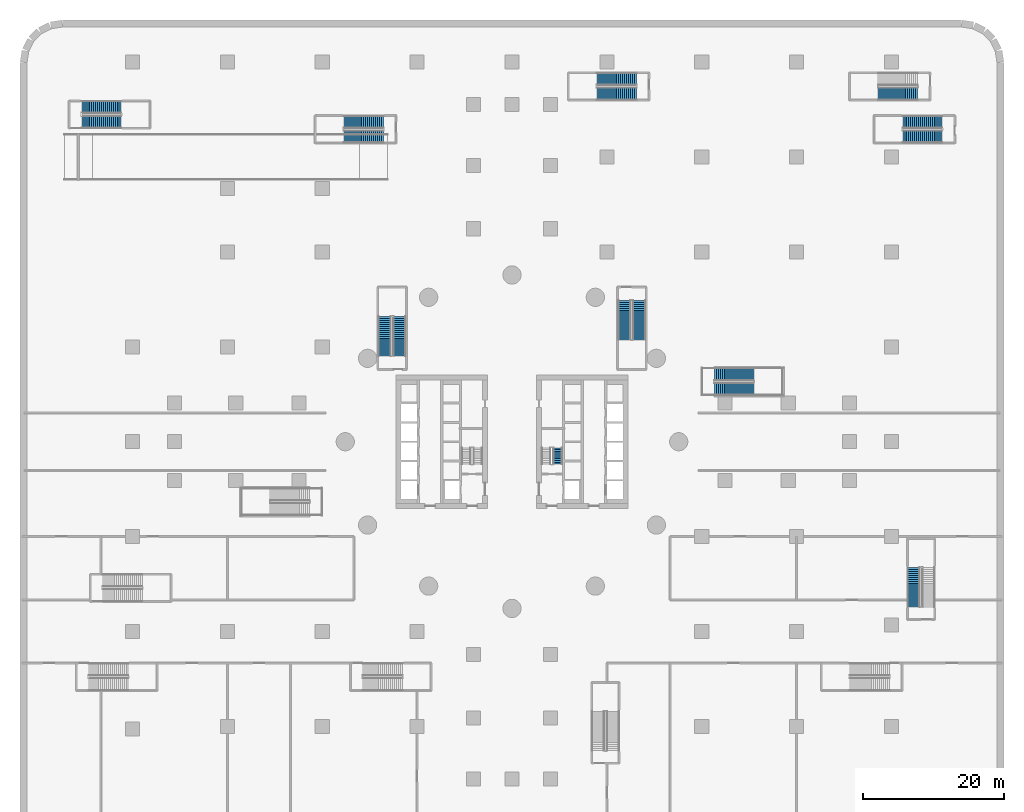
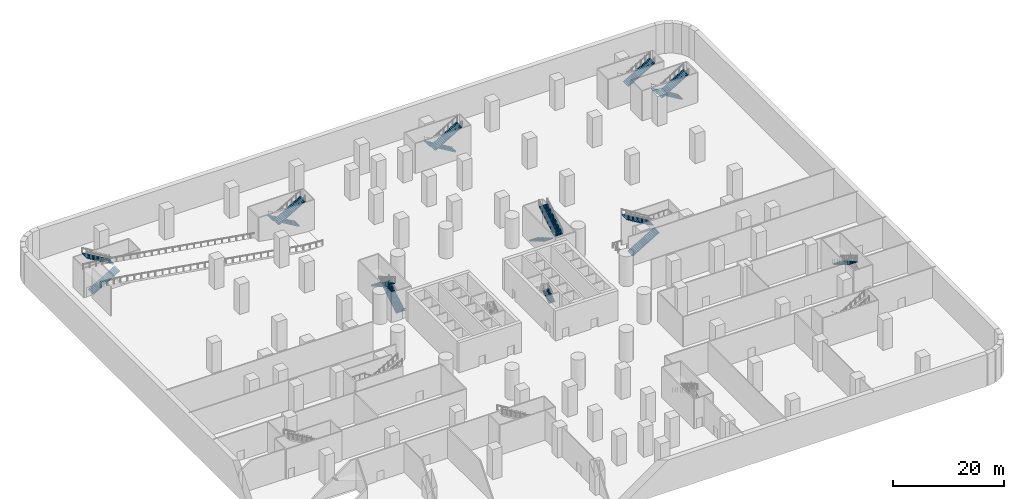
# One storey, part 14 of 30: 17 stair flights, 10 elements without a shape of their own.
"""IFC4 building model written with IfcOpenShell, lengths in metres."""

from ifc_helpers import new_model, si_unit, direction, frame, origin, place, context, subcontext, project, spatial, polyline, outline, extrude, material, type_object, element, aggregate, save


model = new_model("IFC4")

# Units and contexts
model_context = context("Model", 3, precision=1e-05, world=origin(), true_north=direction((0.0, 1.0)))
body_context = subcontext(model_context, "Body", "Model", "MODEL_VIEW")
ifc_project = project(units=[si_unit("LENGTHUNIT", "METRE"), si_unit("AREAUNIT", "SQUARE_METRE"), si_unit("VOLUMEUNIT", "CUBIC_METRE"), si_unit("PLANEANGLEUNIT", "RADIAN"), si_unit("MASSUNIT", "GRAM", prefix="KILO")], contexts=[model_context])

# Site, building, storey
site_placement = place(None, origin())
site = spatial("IfcSite", under=ifc_project, at=site_placement, CompositionType="ELEMENT")
building_placement = place(site_placement, origin())
building = spatial("IfcBuilding", under=site, at=building_placement, Name="Tamarind Cross Interchange Tower", CompositionType="ELEMENT")
storey_placement = place(building_placement, frame((0.0, 0.0, -14.0)))
storey = spatial("IfcBuildingStorey", under=building, at=storey_placement, Name="B2", CompositionType="ELEMENT", Elevation=-14.0)

# Stair, stair flight
ifc_material_1 = material(Name="Exit stair")
stair_type_1 = type_object("IfcStairType", Name="Exit stair", PredefinedType="HALF_TURN_STAIR", material=ifc_material_1)
stair_1_placement = place(storey_placement, origin())
stair_1 = element("IfcStair", 1, at=stair_1_placement, inside=storey, type_object=stair_type_1, Name="B2 exit stair ST2", PredefinedType="HALF_TURN_STAIR")
ifc_material_2 = material(Name="Exit stair flight")
stair_flight_type_1 = type_object("IfcStairFlightType", Name="Exit stair flight", PredefinedType="STRAIGHT", material=ifc_material_2)
stair_flight_1_placement = place(storey_placement, frame((6.5, -3.199951171875, 3.5), z_axis=(0.0, 0.0, 1.0), x_axis=(0.0, 1.0, 0.0)))
stair_flight_1 = element("IfcStairFlight", 2, at=stair_flight_1_placement, type_object=stair_flight_type_1, Name="ST2 flight 3", NumberOfRisers=10, NumberOfTreads=9, PredefinedType="STRAIGHT", RiserHeight=0.175, TreadLength=0.26, context=body_context, shape_type="SweptSolid", body=[
    extrude(outline(polyline([(0.0, 0.0), (0.0, 0.175048828125), (0.260009765625, 0.175048828125), (0.260009765625, 0.35009765625), (0.52001953125, 0.35009765625), (0.52001953125, 0.52490234375), (0.780029296875, 0.52490234375), (0.780029296875, 0.699951171875), (1.0400390625, 0.699951171875), (1.0400390625, 0.875), (1.300048828125, 0.875), (1.300048828125, 1.050048828125), (1.56005859375, 1.050048828125), (1.56005859375, 1.22509765625), (1.820068359375, 1.22509765625), (1.820068359375, 1.39990234375), (2.080078125, 1.39990234375), (2.080078125, 1.574951171875), (2.340087890625, 1.574951171875), (2.340087890625, 1.75), (2.340087890625, 1.394287109375), (0.2685546875, 0.0), (0.0, 0.0)])), frame((0.0, 0.64990234375, 0.0), z_axis=(0.0, -1.0, 0.0), x_axis=(1.0, 0.0, 0.0)), (0.0, 0.0, 1.0), 1.300048828125),
])
aggregate(stair_1, [stair_flight_1])

# Stair, stair flights
ifc_material_3 = material(Name="Public stair")
stair_type_2 = type_object("IfcStairType", Name="Public stair", PredefinedType="HALF_TURN_STAIR", material=ifc_material_3)
stair_2_placement = place(storey_placement, origin())
stair_2 = element("IfcStair", 3, at=stair_2_placement, inside=storey, type_object=stair_type_2, Name="B2 public stair MS-E", PredefinedType="HALF_TURN_STAIR")
ifc_material_4 = material(Name="Public stair flight")
stair_flight_type_2 = type_object("IfcStairFlightType", Name="Public stair flight", PredefinedType="STRAIGHT", material=ifc_material_4)
stair_flight_2_placement = place(storey_placement, frame((28.800048828125, 7.5, 0.0), z_axis=(0.0, 0.0, 1.0), x_axis=(1.0, 0.0, 0.0)))
stair_flight_2 = element("IfcStairFlight", 4, at=stair_flight_2_placement, type_object=stair_flight_type_2, Name="MS-E flight 1", NumberOfRisers=21, NumberOfTreads=20, PredefinedType="STRAIGHT", RiserHeight=0.166666667, TreadLength=0.28, context=body_context, shape_type="SweptSolid", body=[
    extrude(outline(polyline([(0.0, 0.0), (0.0, 0.166748046875), (0.280029296875, 0.166748046875), (0.280029296875, 0.333251953125), (0.56005859375, 0.333251953125), (0.56005859375, 0.5), (0.840087890625, 0.5), (0.840087890625, 0.666748046875), (1.1201171875, 0.666748046875), (1.1201171875, 0.833251953125), (1.39990234375, 0.833251953125), (1.39990234375, 1.0), (1.679931640625, 1.0), (1.679931640625, 1.166748046875), (1.9599609375, 1.166748046875), (1.9599609375, 1.333251953125), (2.239990234375, 1.333251953125), (2.239990234375, 1.5), (2.52001953125, 1.5), (2.52001953125, 1.666748046875), (2.800048828125, 1.666748046875), (2.800048828125, 1.833251953125), (3.080078125, 1.833251953125), (3.080078125, 2.0), (3.360107421875, 2.0), (3.360107421875, 2.166748046875), (3.639892578125, 2.166748046875), (3.639892578125, 2.333251953125), (3.919921875, 2.333251953125), (3.919921875, 2.5), (4.199951171875, 2.5), (4.199951171875, 2.666748046875), (4.47998046875, 2.666748046875), (4.47998046875, 2.833251953125), (4.760009765625, 2.833251953125), (4.760009765625, 3.0), (5.0400390625, 3.0), (5.0400390625, 3.166748046875), (5.320068359375, 3.166748046875), (5.320068359375, 3.333251953125), (5.60009765625, 3.333251953125), (5.60009765625, 3.5), (5.60009765625, 3.158935546875), (0.29296875, 0.0), (0.0, 0.0)])), frame((0.0, 0.89990234375, 0.0), z_axis=(0.0, -1.0, 0.0), x_axis=(1.0, 0.0, 0.0)), (0.0, 0.0, 1.0), 1.800048828125),
])
stair_flight_3_placement = place(storey_placement, frame((34.39990234375, 9.60009765625, 3.5), z_axis=(0.0, 0.0, 1.0), x_axis=(-1.0, 0.0, 0.0)))
stair_flight_3 = element("IfcStairFlight", 5, at=stair_flight_3_placement, type_object=stair_flight_type_2, Name="MS-E flight 2", NumberOfRisers=21, NumberOfTreads=20, PredefinedType="STRAIGHT", RiserHeight=0.166666667, TreadLength=0.28, context=body_context, shape_type="SweptSolid", body=[
    extrude(outline(polyline([(0.0, 0.0), (0.0, 0.166748046875), (0.280029296875, 0.166748046875), (0.280029296875, 0.333251953125), (0.56005859375, 0.333251953125), (0.56005859375, 0.5), (0.840087890625, 0.5), (0.840087890625, 0.666748046875), (1.1201171875, 0.666748046875), (1.1201171875, 0.833251953125), (1.39990234375, 0.833251953125), (1.39990234375, 1.0), (1.679931640625, 1.0), (1.679931640625, 1.166748046875), (1.9599609375, 1.166748046875), (1.9599609375, 1.333251953125), (2.239990234375, 1.333251953125), (2.239990234375, 1.5), (2.52001953125, 1.5), (2.52001953125, 1.666748046875), (2.800048828125, 1.666748046875), (2.800048828125, 1.833251953125), (3.080078125, 1.833251953125), (3.080078125, 2.0), (3.360107421875, 2.0), (3.360107421875, 2.166748046875), (3.639892578125, 2.166748046875), (3.639892578125, 2.333251953125), (3.919921875, 2.333251953125), (3.919921875, 2.5), (4.199951171875, 2.5), (4.199951171875, 2.666748046875), (4.47998046875, 2.666748046875), (4.47998046875, 2.833251953125), (4.760009765625, 2.833251953125), (4.760009765625, 3.0), (5.0400390625, 3.0), (5.0400390625, 3.166748046875), (5.320068359375, 3.166748046875), (5.320068359375, 3.333251953125), (5.60009765625, 3.333251953125), (5.60009765625, 3.5), (5.60009765625, 3.158935546875), (0.29296875, 0.0), (0.0, 0.0)])), frame((0.0, 0.89990234375, 0.0), z_axis=(0.0, -1.0, 0.0), x_axis=(1.0, 0.0, 0.0)), (0.0, 0.0, 1.0), 1.800048828125),
])
aggregate(stair_2, [stair_flight_2, stair_flight_3])

stair_3_placement = place(storey_placement, origin())
stair_3 = element("IfcStair", 6, at=stair_3_placement, inside=storey, type_object=stair_type_2, Name="B2 exit stair XS-W", PredefinedType="HALF_TURN_STAIR")
stair_flight_4_placement = place(storey_placement, frame((-16.0, 12.199951171875, 0.0), z_axis=(0.0, 0.0, 1.0), x_axis=(0.0, 1.0, 0.0)))
stair_flight_4 = element("IfcStairFlight", 7, at=stair_flight_4_placement, type_object=stair_flight_type_2, Name="XS-W flight 1", NumberOfRisers=21, NumberOfTreads=20, PredefinedType="STRAIGHT", RiserHeight=0.166666667, TreadLength=0.28, context=body_context, shape_type="SweptSolid", body=[
    extrude(outline(polyline([(0.0, 0.0), (0.0, 0.166748046875), (0.280029296875, 0.166748046875), (0.280029296875, 0.333251953125), (0.56005859375, 0.333251953125), (0.56005859375, 0.5), (0.840087890625, 0.5), (0.840087890625, 0.666748046875), (1.1201171875, 0.666748046875), (1.1201171875, 0.833251953125), (1.39990234375, 0.833251953125), (1.39990234375, 1.0), (1.679931640625, 1.0), (1.679931640625, 1.166748046875), (1.9599609375, 1.166748046875), (1.9599609375, 1.333251953125), (2.239990234375, 1.333251953125), (2.239990234375, 1.5), (2.52001953125, 1.5), (2.52001953125, 1.666748046875), (2.800048828125, 1.666748046875), (2.800048828125, 1.833251953125), (3.080078125, 1.833251953125), (3.080078125, 2.0), (3.360107421875, 2.0), (3.360107421875, 2.166748046875), (3.639892578125, 2.166748046875), (3.639892578125, 2.333251953125), (3.919921875, 2.333251953125), (3.919921875, 2.5), (4.199951171875, 2.5), (4.199951171875, 2.666748046875), (4.47998046875, 2.666748046875), (4.47998046875, 2.833251953125), (4.760009765625, 2.833251953125), (4.760009765625, 3.0), (5.0400390625, 3.0), (5.0400390625, 3.166748046875), (5.320068359375, 3.166748046875), (5.320068359375, 3.333251953125), (5.60009765625, 3.333251953125), (5.60009765625, 3.5), (5.60009765625, 3.158935546875), (0.29296875, 0.0), (0.0, 0.0)])), frame((0.0, 0.89990234375, 0.0), z_axis=(0.0, -1.0, 0.0), x_axis=(1.0, 0.0, 0.0)), (0.0, 0.0, 1.0), 1.800048828125),
])
stair_flight_5_placement = place(storey_placement, frame((-18.10009765625, 17.800048828125, 3.5), z_axis=(0.0, 0.0, 1.0), x_axis=(0.0, -1.0, 0.0)))
stair_flight_5 = element("IfcStairFlight", 8, at=stair_flight_5_placement, type_object=stair_flight_type_2, Name="XS-W flight 2", NumberOfRisers=21, NumberOfTreads=20, PredefinedType="STRAIGHT", RiserHeight=0.166666667, TreadLength=0.28, context=body_context, shape_type="SweptSolid", body=[
    extrude(outline(polyline([(0.0, 0.0), (0.0, 0.166748046875), (0.280029296875, 0.166748046875), (0.280029296875, 0.333251953125), (0.56005859375, 0.333251953125), (0.56005859375, 0.5), (0.840087890625, 0.5), (0.840087890625, 0.666748046875), (1.1201171875, 0.666748046875), (1.1201171875, 0.833251953125), (1.39990234375, 0.833251953125), (1.39990234375, 1.0), (1.679931640625, 1.0), (1.679931640625, 1.166748046875), (1.9599609375, 1.166748046875), (1.9599609375, 1.333251953125), (2.239990234375, 1.333251953125), (2.239990234375, 1.5), (2.52001953125, 1.5), (2.52001953125, 1.666748046875), (2.800048828125, 1.666748046875), (2.800048828125, 1.833251953125), (3.080078125, 1.833251953125), (3.080078125, 2.0), (3.360107421875, 2.0), (3.360107421875, 2.166748046875), (3.639892578125, 2.166748046875), (3.639892578125, 2.333251953125), (3.919921875, 2.333251953125), (3.919921875, 2.5), (4.199951171875, 2.5), (4.199951171875, 2.666748046875), (4.47998046875, 2.666748046875), (4.47998046875, 2.833251953125), (4.760009765625, 2.833251953125), (4.760009765625, 3.0), (5.0400390625, 3.0), (5.0400390625, 3.166748046875), (5.320068359375, 3.166748046875), (5.320068359375, 3.333251953125), (5.60009765625, 3.333251953125), (5.60009765625, 3.5), (5.60009765625, 3.158935546875), (0.29296875, 0.0), (0.0, 0.0)])), frame((0.0, 0.89990234375, 0.0), z_axis=(0.0, -1.0, 0.0), x_axis=(1.0, 0.0, 0.0)), (0.0, 0.0, 1.0), 1.800048828125),
])
aggregate(stair_3, [stair_flight_4, stair_flight_5])

stair_4_placement = place(storey_placement, origin())
stair_4 = element("IfcStair", 9, at=stair_4_placement, inside=storey, type_object=stair_type_2, Name="B2 exit stair XS-E", PredefinedType="HALF_TURN_STAIR")
stair_flight_6_placement = place(storey_placement, frame((16.0, 20.10009765625, 0.0), z_axis=(0.0, 0.0, 1.0), x_axis=(0.0, -1.0, 0.0)))
stair_flight_6 = element("IfcStairFlight", 10, at=stair_flight_6_placement, type_object=stair_flight_type_2, Name="XS-E flight 1", NumberOfRisers=21, NumberOfTreads=20, PredefinedType="STRAIGHT", RiserHeight=0.166666667, TreadLength=0.28, context=body_context, shape_type="SweptSolid", body=[
    extrude(outline(polyline([(0.0, 0.0), (0.0, 0.166748046875), (0.280029296875, 0.166748046875), (0.280029296875, 0.333251953125), (0.56005859375, 0.333251953125), (0.56005859375, 0.5), (0.840087890625, 0.5), (0.840087890625, 0.666748046875), (1.1201171875, 0.666748046875), (1.1201171875, 0.833251953125), (1.39990234375, 0.833251953125), (1.39990234375, 1.0), (1.679931640625, 1.0), (1.679931640625, 1.166748046875), (1.9599609375, 1.166748046875), (1.9599609375, 1.333251953125), (2.239990234375, 1.333251953125), (2.239990234375, 1.5), (2.52001953125, 1.5), (2.52001953125, 1.666748046875), (2.800048828125, 1.666748046875), (2.800048828125, 1.833251953125), (3.080078125, 1.833251953125), (3.080078125, 2.0), (3.360107421875, 2.0), (3.360107421875, 2.166748046875), (3.639892578125, 2.166748046875), (3.639892578125, 2.333251953125), (3.919921875, 2.333251953125), (3.919921875, 2.5), (4.199951171875, 2.5), (4.199951171875, 2.666748046875), (4.47998046875, 2.666748046875), (4.47998046875, 2.833251953125), (4.760009765625, 2.833251953125), (4.760009765625, 3.0), (5.0400390625, 3.0), (5.0400390625, 3.166748046875), (5.320068359375, 3.166748046875), (5.320068359375, 3.333251953125), (5.60009765625, 3.333251953125), (5.60009765625, 3.5), (5.60009765625, 3.158935546875), (0.29296875, 0.0), (0.0, 0.0)])), frame((0.0, 0.89990234375, 0.0), z_axis=(0.0, -1.0, 0.0), x_axis=(1.0, 0.0, 0.0)), (0.0, 0.0, 1.0), 1.800048828125),
])
stair_flight_7_placement = place(storey_placement, frame((18.10009765625, 14.5, 3.5), z_axis=(0.0, 0.0, 1.0), x_axis=(0.0, 1.0, 0.0)))
stair_flight_7 = element("IfcStairFlight", 11, at=stair_flight_7_placement, type_object=stair_flight_type_2, Name="XS-E flight 2", NumberOfRisers=21, NumberOfTreads=20, PredefinedType="STRAIGHT", RiserHeight=0.166666667, TreadLength=0.28, context=body_context, shape_type="SweptSolid", body=[
    extrude(outline(polyline([(0.0, 0.0), (0.0, 0.166748046875), (0.280029296875, 0.166748046875), (0.280029296875, 0.333251953125), (0.56005859375, 0.333251953125), (0.56005859375, 0.5), (0.840087890625, 0.5), (0.840087890625, 0.666748046875), (1.1201171875, 0.666748046875), (1.1201171875, 0.833251953125), (1.39990234375, 0.833251953125), (1.39990234375, 1.0), (1.679931640625, 1.0), (1.679931640625, 1.166748046875), (1.9599609375, 1.166748046875), (1.9599609375, 1.333251953125), (2.239990234375, 1.333251953125), (2.239990234375, 1.5), (2.52001953125, 1.5), (2.52001953125, 1.666748046875), (2.800048828125, 1.666748046875), (2.800048828125, 1.833251953125), (3.080078125, 1.833251953125), (3.080078125, 2.0), (3.360107421875, 2.0), (3.360107421875, 2.166748046875), (3.639892578125, 2.166748046875), (3.639892578125, 2.333251953125), (3.919921875, 2.333251953125), (3.919921875, 2.5), (4.199951171875, 2.5), (4.199951171875, 2.666748046875), (4.47998046875, 2.666748046875), (4.47998046875, 2.833251953125), (4.760009765625, 2.833251953125), (4.760009765625, 3.0), (5.0400390625, 3.0), (5.0400390625, 3.166748046875), (5.320068359375, 3.166748046875), (5.320068359375, 3.333251953125), (5.60009765625, 3.333251953125), (5.60009765625, 3.5), (5.60009765625, 3.158935546875), (0.29296875, 0.0), (0.0, 0.0)])), frame((0.0, 0.89990234375, 0.0), z_axis=(0.0, -1.0, 0.0), x_axis=(1.0, 0.0, 0.0)), (0.0, 0.0, 1.0), 1.800048828125),
])
aggregate(stair_4, [stair_flight_6, stair_flight_7])

# Stair, stair flight
stair_5_placement = place(storey_placement, origin())
stair_5 = element("IfcStair", 12, at=stair_5_placement, inside=storey, type_object=stair_type_2, Name="B2 exit stair XS-P01", PredefinedType="HALF_TURN_STAIR")
stair_flight_8_placement = place(storey_placement, frame((52.10009765625, 49.5, 3.5), z_axis=(0.0, 0.0, 1.0), x_axis=(1.0, 0.0, 0.0)))
stair_flight_8 = element("IfcStairFlight", 13, at=stair_flight_8_placement, type_object=stair_flight_type_2, Name="XS-P01 flight 2", NumberOfRisers=21, NumberOfTreads=20, PredefinedType="STRAIGHT", RiserHeight=0.166666667, TreadLength=0.28, context=body_context, shape_type="SweptSolid", body=[
    extrude(outline(polyline([(0.0, 0.0), (0.0, 0.166748046875), (0.280029296875, 0.166748046875), (0.280029296875, 0.333251953125), (0.56005859375, 0.333251953125), (0.56005859375, 0.5), (0.840087890625, 0.5), (0.840087890625, 0.666748046875), (1.1201171875, 0.666748046875), (1.1201171875, 0.833251953125), (1.39990234375, 0.833251953125), (1.39990234375, 1.0), (1.679931640625, 1.0), (1.679931640625, 1.166748046875), (1.9599609375, 1.166748046875), (1.9599609375, 1.333251953125), (2.239990234375, 1.333251953125), (2.239990234375, 1.5), (2.52001953125, 1.5), (2.52001953125, 1.666748046875), (2.800048828125, 1.666748046875), (2.800048828125, 1.833251953125), (3.080078125, 1.833251953125), (3.080078125, 2.0), (3.360107421875, 2.0), (3.360107421875, 2.166748046875), (3.639892578125, 2.166748046875), (3.639892578125, 2.333251953125), (3.919921875, 2.333251953125), (3.919921875, 2.5), (4.199951171875, 2.5), (4.199951171875, 2.666748046875), (4.47998046875, 2.666748046875), (4.47998046875, 2.833251953125), (4.760009765625, 2.833251953125), (4.760009765625, 3.0), (5.0400390625, 3.0), (5.0400390625, 3.166748046875), (5.320068359375, 3.166748046875), (5.320068359375, 3.333251953125), (5.60009765625, 3.333251953125), (5.60009765625, 3.5), (5.60009765625, 3.158935546875), (0.29296875, 0.0), (0.0, 0.0)])), frame((0.0, 0.89990234375, 0.0), z_axis=(0.0, -1.0, 0.0), x_axis=(1.0, 0.0, 0.0)), (0.0, 0.0, 1.0), 1.800048828125),
])
aggregate(stair_5, [stair_flight_8])

# Stair, stair flights
stair_6_placement = place(storey_placement, origin())
stair_6 = element("IfcStair", 14, at=stair_6_placement, inside=storey, type_object=stair_type_2, Name="B2 exit stair XS-P02", PredefinedType="HALF_TURN_STAIR")
stair_flight_9_placement = place(storey_placement, frame((61.199951171875, 45.5, 0.0), z_axis=(0.0, 0.0, 1.0), x_axis=(-1.0, 0.0, 0.0)))
stair_flight_9 = element("IfcStairFlight", 15, at=stair_flight_9_placement, type_object=stair_flight_type_2, Name="XS-P02 flight 1", NumberOfRisers=21, NumberOfTreads=20, PredefinedType="STRAIGHT", RiserHeight=0.166666667, TreadLength=0.28, context=body_context, shape_type="SweptSolid", body=[
    extrude(outline(polyline([(0.0, 0.0), (0.0, 0.166748046875), (0.280029296875, 0.166748046875), (0.280029296875, 0.333251953125), (0.56005859375, 0.333251953125), (0.56005859375, 0.5), (0.840087890625, 0.5), (0.840087890625, 0.666748046875), (1.1201171875, 0.666748046875), (1.1201171875, 0.833251953125), (1.39990234375, 0.833251953125), (1.39990234375, 1.0), (1.679931640625, 1.0), (1.679931640625, 1.166748046875), (1.9599609375, 1.166748046875), (1.9599609375, 1.333251953125), (2.239990234375, 1.333251953125), (2.239990234375, 1.5), (2.52001953125, 1.5), (2.52001953125, 1.666748046875), (2.800048828125, 1.666748046875), (2.800048828125, 1.833251953125), (3.080078125, 1.833251953125), (3.080078125, 2.0), (3.360107421875, 2.0), (3.360107421875, 2.166748046875), (3.639892578125, 2.166748046875), (3.639892578125, 2.333251953125), (3.919921875, 2.333251953125), (3.919921875, 2.5), (4.199951171875, 2.5), (4.199951171875, 2.666748046875), (4.47998046875, 2.666748046875), (4.47998046875, 2.833251953125), (4.760009765625, 2.833251953125), (4.760009765625, 3.0), (5.0400390625, 3.0), (5.0400390625, 3.166748046875), (5.320068359375, 3.166748046875), (5.320068359375, 3.333251953125), (5.60009765625, 3.333251953125), (5.60009765625, 3.5), (5.60009765625, 3.158935546875), (0.29296875, 0.0), (0.0, 0.0)])), frame((0.0, 0.89990234375, 0.0), z_axis=(0.0, -1.0, 0.0), x_axis=(1.0, 0.0, 0.0)), (0.0, 0.0, 1.0), 1.800048828125),
])
stair_flight_10_placement = place(storey_placement, frame((55.60009765625, 43.39990234375, 3.5), z_axis=(0.0, 0.0, 1.0), x_axis=(1.0, 0.0, 0.0)))
stair_flight_10 = element("IfcStairFlight", 16, at=stair_flight_10_placement, type_object=stair_flight_type_2, Name="XS-P02 flight 2", NumberOfRisers=21, NumberOfTreads=20, PredefinedType="STRAIGHT", RiserHeight=0.166666667, TreadLength=0.28, context=body_context, shape_type="SweptSolid", body=[
    extrude(outline(polyline([(0.0, 0.0), (0.0, 0.166748046875), (0.280029296875, 0.166748046875), (0.280029296875, 0.333251953125), (0.56005859375, 0.333251953125), (0.56005859375, 0.5), (0.840087890625, 0.5), (0.840087890625, 0.666748046875), (1.1201171875, 0.666748046875), (1.1201171875, 0.833251953125), (1.39990234375, 0.833251953125), (1.39990234375, 1.0), (1.679931640625, 1.0), (1.679931640625, 1.166748046875), (1.9599609375, 1.166748046875), (1.9599609375, 1.333251953125), (2.239990234375, 1.333251953125), (2.239990234375, 1.5), (2.52001953125, 1.5), (2.52001953125, 1.666748046875), (2.800048828125, 1.666748046875), (2.800048828125, 1.833251953125), (3.080078125, 1.833251953125), (3.080078125, 2.0), (3.360107421875, 2.0), (3.360107421875, 2.166748046875), (3.639892578125, 2.166748046875), (3.639892578125, 2.333251953125), (3.919921875, 2.333251953125), (3.919921875, 2.5), (4.199951171875, 2.5), (4.199951171875, 2.666748046875), (4.47998046875, 2.666748046875), (4.47998046875, 2.833251953125), (4.760009765625, 2.833251953125), (4.760009765625, 3.0), (5.0400390625, 3.0), (5.0400390625, 3.166748046875), (5.320068359375, 3.166748046875), (5.320068359375, 3.333251953125), (5.60009765625, 3.333251953125), (5.60009765625, 3.5), (5.60009765625, 3.158935546875), (0.29296875, 0.0), (0.0, 0.0)])), frame((0.0, 0.89990234375, 0.0), z_axis=(0.0, -1.0, 0.0), x_axis=(1.0, 0.0, 0.0)), (0.0, 0.0, 1.0), 1.800048828125),
])
aggregate(stair_6, [stair_flight_9, stair_flight_10])

stair_7_placement = place(storey_placement, origin())
stair_7 = element("IfcStair", 17, at=stair_7_placement, inside=storey, type_object=stair_type_2, Name="B2 exit stair XS-P03", PredefinedType="HALF_TURN_STAIR")
stair_flight_11_placement = place(storey_placement, frame((17.699951171875, 51.60009765625, 0.0), z_axis=(0.0, 0.0, 1.0), x_axis=(-1.0, 0.0, 0.0)))
stair_flight_11 = element("IfcStairFlight", 18, at=stair_flight_11_placement, type_object=stair_flight_type_2, Name="XS-P03 flight 1", NumberOfRisers=21, NumberOfTreads=20, PredefinedType="STRAIGHT", RiserHeight=0.166666667, TreadLength=0.28, context=body_context, shape_type="SweptSolid", body=[
    extrude(outline(polyline([(0.0, 0.0), (0.0, 0.166748046875), (0.280029296875, 0.166748046875), (0.280029296875, 0.333251953125), (0.56005859375, 0.333251953125), (0.56005859375, 0.5), (0.840087890625, 0.5), (0.840087890625, 0.666748046875), (1.1201171875, 0.666748046875), (1.1201171875, 0.833251953125), (1.39990234375, 0.833251953125), (1.39990234375, 1.0), (1.679931640625, 1.0), (1.679931640625, 1.166748046875), (1.9599609375, 1.166748046875), (1.9599609375, 1.333251953125), (2.239990234375, 1.333251953125), (2.239990234375, 1.5), (2.52001953125, 1.5), (2.52001953125, 1.666748046875), (2.800048828125, 1.666748046875), (2.800048828125, 1.833251953125), (3.080078125, 1.833251953125), (3.080078125, 2.0), (3.360107421875, 2.0), (3.360107421875, 2.166748046875), (3.639892578125, 2.166748046875), (3.639892578125, 2.333251953125), (3.919921875, 2.333251953125), (3.919921875, 2.5), (4.199951171875, 2.5), (4.199951171875, 2.666748046875), (4.47998046875, 2.666748046875), (4.47998046875, 2.833251953125), (4.760009765625, 2.833251953125), (4.760009765625, 3.0), (5.0400390625, 3.0), (5.0400390625, 3.166748046875), (5.320068359375, 3.166748046875), (5.320068359375, 3.333251953125), (5.60009765625, 3.333251953125), (5.60009765625, 3.5), (5.60009765625, 3.158935546875), (0.29296875, 0.0), (0.0, 0.0)])), frame((0.0, 0.89990234375, 0.0), z_axis=(0.0, -1.0, 0.0), x_axis=(1.0, 0.0, 0.0)), (0.0, 0.0, 1.0), 1.800048828125),
])
stair_flight_12_placement = place(storey_placement, frame((12.10009765625, 49.5, 3.5), z_axis=(0.0, 0.0, 1.0), x_axis=(1.0, 0.0, 0.0)))
stair_flight_12 = element("IfcStairFlight", 19, at=stair_flight_12_placement, type_object=stair_flight_type_2, Name="XS-P03 flight 2", NumberOfRisers=21, NumberOfTreads=20, PredefinedType="STRAIGHT", RiserHeight=0.166666667, TreadLength=0.28, context=body_context, shape_type="SweptSolid", body=[
    extrude(outline(polyline([(0.0, 0.0), (0.0, 0.166748046875), (0.280029296875, 0.166748046875), (0.280029296875, 0.333251953125), (0.56005859375, 0.333251953125), (0.56005859375, 0.5), (0.840087890625, 0.5), (0.840087890625, 0.666748046875), (1.1201171875, 0.666748046875), (1.1201171875, 0.833251953125), (1.39990234375, 0.833251953125), (1.39990234375, 1.0), (1.679931640625, 1.0), (1.679931640625, 1.166748046875), (1.9599609375, 1.166748046875), (1.9599609375, 1.333251953125), (2.239990234375, 1.333251953125), (2.239990234375, 1.5), (2.52001953125, 1.5), (2.52001953125, 1.666748046875), (2.800048828125, 1.666748046875), (2.800048828125, 1.833251953125), (3.080078125, 1.833251953125), (3.080078125, 2.0), (3.360107421875, 2.0), (3.360107421875, 2.166748046875), (3.639892578125, 2.166748046875), (3.639892578125, 2.333251953125), (3.919921875, 2.333251953125), (3.919921875, 2.5), (4.199951171875, 2.5), (4.199951171875, 2.666748046875), (4.47998046875, 2.666748046875), (4.47998046875, 2.833251953125), (4.760009765625, 2.833251953125), (4.760009765625, 3.0), (5.0400390625, 3.0), (5.0400390625, 3.166748046875), (5.320068359375, 3.166748046875), (5.320068359375, 3.333251953125), (5.60009765625, 3.333251953125), (5.60009765625, 3.5), (5.60009765625, 3.158935546875), (0.29296875, 0.0), (0.0, 0.0)])), frame((0.0, 0.89990234375, 0.0), z_axis=(0.0, -1.0, 0.0), x_axis=(1.0, 0.0, 0.0)), (0.0, 0.0, 1.0), 1.800048828125),
])
aggregate(stair_7, [stair_flight_11, stair_flight_12])

stair_8_placement = place(storey_placement, origin())
stair_8 = element("IfcStair", 20, at=stair_8_placement, inside=storey, type_object=stair_type_2, Name="B2 exit stair XS-P05", PredefinedType="HALF_TURN_STAIR")
stair_flight_13_placement = place(storey_placement, frame((-61.199951171875, 45.5, 0.0), z_axis=(0.0, 0.0, 1.0), x_axis=(1.0, 0.0, 0.0)))
stair_flight_13 = element("IfcStairFlight", 21, at=stair_flight_13_placement, type_object=stair_flight_type_2, Name="XS-P05 flight 1", NumberOfRisers=21, NumberOfTreads=20, PredefinedType="STRAIGHT", RiserHeight=0.166666667, TreadLength=0.28, context=body_context, shape_type="SweptSolid", body=[
    extrude(outline(polyline([(0.0, 0.0), (0.0, 0.166748046875), (0.280029296875, 0.166748046875), (0.280029296875, 0.333251953125), (0.56005859375, 0.333251953125), (0.56005859375, 0.5), (0.840087890625, 0.5), (0.840087890625, 0.666748046875), (1.1201171875, 0.666748046875), (1.1201171875, 0.833251953125), (1.39990234375, 0.833251953125), (1.39990234375, 1.0), (1.679931640625, 1.0), (1.679931640625, 1.166748046875), (1.9599609375, 1.166748046875), (1.9599609375, 1.333251953125), (2.239990234375, 1.333251953125), (2.239990234375, 1.5), (2.52001953125, 1.5), (2.52001953125, 1.666748046875), (2.800048828125, 1.666748046875), (2.800048828125, 1.833251953125), (3.080078125, 1.833251953125), (3.080078125, 2.0), (3.360107421875, 2.0), (3.360107421875, 2.166748046875), (3.639892578125, 2.166748046875), (3.639892578125, 2.333251953125), (3.919921875, 2.333251953125), (3.919921875, 2.5), (4.199951171875, 2.5), (4.199951171875, 2.666748046875), (4.47998046875, 2.666748046875), (4.47998046875, 2.833251953125), (4.760009765625, 2.833251953125), (4.760009765625, 3.0), (5.0400390625, 3.0), (5.0400390625, 3.166748046875), (5.320068359375, 3.166748046875), (5.320068359375, 3.333251953125), (5.60009765625, 3.333251953125), (5.60009765625, 3.5), (5.60009765625, 3.158935546875), (0.29296875, 0.0), (0.0, 0.0)])), frame((0.0, 0.89990234375, 0.0), z_axis=(0.0, -1.0, 0.0), x_axis=(1.0, 0.0, 0.0)), (0.0, 0.0, 1.0), 1.800048828125),
])
stair_flight_14_placement = place(storey_placement, frame((-55.60009765625, 47.60009765625, 3.5), z_axis=(0.0, 0.0, 1.0), x_axis=(-1.0, 0.0, 0.0)))
stair_flight_14 = element("IfcStairFlight", 22, at=stair_flight_14_placement, type_object=stair_flight_type_2, Name="XS-P05 flight 2", NumberOfRisers=21, NumberOfTreads=20, PredefinedType="STRAIGHT", RiserHeight=0.166666667, TreadLength=0.28, context=body_context, shape_type="SweptSolid", body=[
    extrude(outline(polyline([(0.0, 0.0), (0.0, 0.166748046875), (0.280029296875, 0.166748046875), (0.280029296875, 0.333251953125), (0.56005859375, 0.333251953125), (0.56005859375, 0.5), (0.840087890625, 0.5), (0.840087890625, 0.666748046875), (1.1201171875, 0.666748046875), (1.1201171875, 0.833251953125), (1.39990234375, 0.833251953125), (1.39990234375, 1.0), (1.679931640625, 1.0), (1.679931640625, 1.166748046875), (1.9599609375, 1.166748046875), (1.9599609375, 1.333251953125), (2.239990234375, 1.333251953125), (2.239990234375, 1.5), (2.52001953125, 1.5), (2.52001953125, 1.666748046875), (2.800048828125, 1.666748046875), (2.800048828125, 1.833251953125), (3.080078125, 1.833251953125), (3.080078125, 2.0), (3.360107421875, 2.0), (3.360107421875, 2.166748046875), (3.639892578125, 2.166748046875), (3.639892578125, 2.333251953125), (3.919921875, 2.333251953125), (3.919921875, 2.5), (4.199951171875, 2.5), (4.199951171875, 2.666748046875), (4.47998046875, 2.666748046875), (4.47998046875, 2.833251953125), (4.760009765625, 2.833251953125), (4.760009765625, 3.0), (5.0400390625, 3.0), (5.0400390625, 3.166748046875), (5.320068359375, 3.166748046875), (5.320068359375, 3.333251953125), (5.60009765625, 3.333251953125), (5.60009765625, 3.5), (5.60009765625, 3.158935546875), (0.29296875, 0.0), (0.0, 0.0)])), frame((0.0, 0.89990234375, 0.0), z_axis=(0.0, -1.0, 0.0), x_axis=(1.0, 0.0, 0.0)), (0.0, 0.0, 1.0), 1.800048828125),
])
aggregate(stair_8, [stair_flight_13, stair_flight_14])

stair_9_placement = place(storey_placement, origin())
stair_9 = element("IfcStair", 23, at=stair_9_placement, inside=storey, type_object=stair_type_2, Name="B2 exit stair XS-P06", PredefinedType="HALF_TURN_STAIR")
stair_flight_15_placement = place(storey_placement, frame((-18.300048828125, 45.5, 0.0), z_axis=(0.0, 0.0, 1.0), x_axis=(-1.0, 0.0, 0.0)))
stair_flight_15 = element("IfcStairFlight", 24, at=stair_flight_15_placement, type_object=stair_flight_type_2, Name="XS-P06 flight 1", NumberOfRisers=21, NumberOfTreads=20, PredefinedType="STRAIGHT", RiserHeight=0.166666667, TreadLength=0.28, context=body_context, shape_type="SweptSolid", body=[
    extrude(outline(polyline([(0.0, 0.0), (0.0, 0.166748046875), (0.280029296875, 0.166748046875), (0.280029296875, 0.333251953125), (0.56005859375, 0.333251953125), (0.56005859375, 0.5), (0.840087890625, 0.5), (0.840087890625, 0.666748046875), (1.1201171875, 0.666748046875), (1.1201171875, 0.833251953125), (1.39990234375, 0.833251953125), (1.39990234375, 1.0), (1.679931640625, 1.0), (1.679931640625, 1.166748046875), (1.9599609375, 1.166748046875), (1.9599609375, 1.333251953125), (2.239990234375, 1.333251953125), (2.239990234375, 1.5), (2.52001953125, 1.5), (2.52001953125, 1.666748046875), (2.800048828125, 1.666748046875), (2.800048828125, 1.833251953125), (3.080078125, 1.833251953125), (3.080078125, 2.0), (3.360107421875, 2.0), (3.360107421875, 2.166748046875), (3.639892578125, 2.166748046875), (3.639892578125, 2.333251953125), (3.919921875, 2.333251953125), (3.919921875, 2.5), (4.199951171875, 2.5), (4.199951171875, 2.666748046875), (4.47998046875, 2.666748046875), (4.47998046875, 2.833251953125), (4.760009765625, 2.833251953125), (4.760009765625, 3.0), (5.0400390625, 3.0), (5.0400390625, 3.166748046875), (5.320068359375, 3.166748046875), (5.320068359375, 3.333251953125), (5.60009765625, 3.333251953125), (5.60009765625, 3.5), (5.60009765625, 3.158935546875), (0.29296875, 0.0), (0.0, 0.0)])), frame((0.0, 0.89990234375, 0.0), z_axis=(0.0, -1.0, 0.0), x_axis=(1.0, 0.0, 0.0)), (0.0, 0.0, 1.0), 1.800048828125),
])
stair_flight_16_placement = place(storey_placement, frame((-23.89990234375, 43.39990234375, 3.5), z_axis=(0.0, 0.0, 1.0), x_axis=(1.0, 0.0, 0.0)))
stair_flight_16 = element("IfcStairFlight", 25, at=stair_flight_16_placement, type_object=stair_flight_type_2, Name="XS-P06 flight 2", NumberOfRisers=21, NumberOfTreads=20, PredefinedType="STRAIGHT", RiserHeight=0.166666667, TreadLength=0.28, context=body_context, shape_type="SweptSolid", body=[
    extrude(outline(polyline([(0.0, 0.0), (0.0, 0.166748046875), (0.280029296875, 0.166748046875), (0.280029296875, 0.333251953125), (0.56005859375, 0.333251953125), (0.56005859375, 0.5), (0.840087890625, 0.5), (0.840087890625, 0.666748046875), (1.1201171875, 0.666748046875), (1.1201171875, 0.833251953125), (1.39990234375, 0.833251953125), (1.39990234375, 1.0), (1.679931640625, 1.0), (1.679931640625, 1.166748046875), (1.9599609375, 1.166748046875), (1.9599609375, 1.333251953125), (2.239990234375, 1.333251953125), (2.239990234375, 1.5), (2.52001953125, 1.5), (2.52001953125, 1.666748046875), (2.800048828125, 1.666748046875), (2.800048828125, 1.833251953125), (3.080078125, 1.833251953125), (3.080078125, 2.0), (3.360107421875, 2.0), (3.360107421875, 2.166748046875), (3.639892578125, 2.166748046875), (3.639892578125, 2.333251953125), (3.919921875, 2.333251953125), (3.919921875, 2.5), (4.199951171875, 2.5), (4.199951171875, 2.666748046875), (4.47998046875, 2.666748046875), (4.47998046875, 2.833251953125), (4.760009765625, 2.833251953125), (4.760009765625, 3.0), (5.0400390625, 3.0), (5.0400390625, 3.166748046875), (5.320068359375, 3.166748046875), (5.320068359375, 3.333251953125), (5.60009765625, 3.333251953125), (5.60009765625, 3.5), (5.60009765625, 3.158935546875), (0.29296875, 0.0), (0.0, 0.0)])), frame((0.0, 0.89990234375, 0.0), z_axis=(0.0, -1.0, 0.0), x_axis=(1.0, 0.0, 0.0)), (0.0, 0.0, 1.0), 1.800048828125),
])
aggregate(stair_9, [stair_flight_15, stair_flight_16])

# Stair, stair flight
stair_10_placement = place(storey_placement, origin())
stair_10 = element("IfcStair", 26, at=stair_10_placement, inside=storey, type_object=stair_type_2, Name="B2 exit stair XS-P11", PredefinedType="HALF_TURN_STAIR")
stair_flight_17_placement = place(storey_placement, frame((57.14990234375, -17.89990234375, 3.5), z_axis=(0.0, 0.0, 1.0), x_axis=(0.0, -1.0, 0.0)))
stair_flight_17 = element("IfcStairFlight", 27, at=stair_flight_17_placement, type_object=stair_flight_type_2, Name="XS-P11 flight 2", NumberOfRisers=21, NumberOfTreads=20, PredefinedType="STRAIGHT", RiserHeight=0.166666667, TreadLength=0.28, context=body_context, shape_type="SweptSolid", body=[
    extrude(outline(polyline([(0.0, 0.0), (0.0, 0.166748046875), (0.280029296875, 0.166748046875), (0.280029296875, 0.333251953125), (0.56005859375, 0.333251953125), (0.56005859375, 0.5), (0.840087890625, 0.5), (0.840087890625, 0.666748046875), (1.1201171875, 0.666748046875), (1.1201171875, 0.833251953125), (1.39990234375, 0.833251953125), (1.39990234375, 1.0), (1.679931640625, 1.0), (1.679931640625, 1.166748046875), (1.9599609375, 1.166748046875), (1.9599609375, 1.333251953125), (2.239990234375, 1.333251953125), (2.239990234375, 1.5), (2.52001953125, 1.5), (2.52001953125, 1.666748046875), (2.800048828125, 1.666748046875), (2.800048828125, 1.833251953125), (3.080078125, 1.833251953125), (3.080078125, 2.0), (3.360107421875, 2.0), (3.360107421875, 2.166748046875), (3.639892578125, 2.166748046875), (3.639892578125, 2.333251953125), (3.919921875, 2.333251953125), (3.919921875, 2.5), (4.199951171875, 2.5), (4.199951171875, 2.666748046875), (4.47998046875, 2.666748046875), (4.47998046875, 2.833251953125), (4.760009765625, 2.833251953125), (4.760009765625, 3.0), (5.0400390625, 3.0), (5.0400390625, 3.166748046875), (5.320068359375, 3.166748046875), (5.320068359375, 3.333251953125), (5.60009765625, 3.333251953125), (5.60009765625, 3.5), (5.60009765625, 3.158935546875), (0.29296875, 0.0), (0.0, 0.0)])), frame((0.0, 0.89990234375, 0.0), z_axis=(0.0, -1.0, 0.0), x_axis=(1.0, 0.0, 0.0)), (0.0, 0.0, 1.0), 1.800048828125),
])
aggregate(stair_10, [stair_flight_17])

save(model, "model.ifc")
